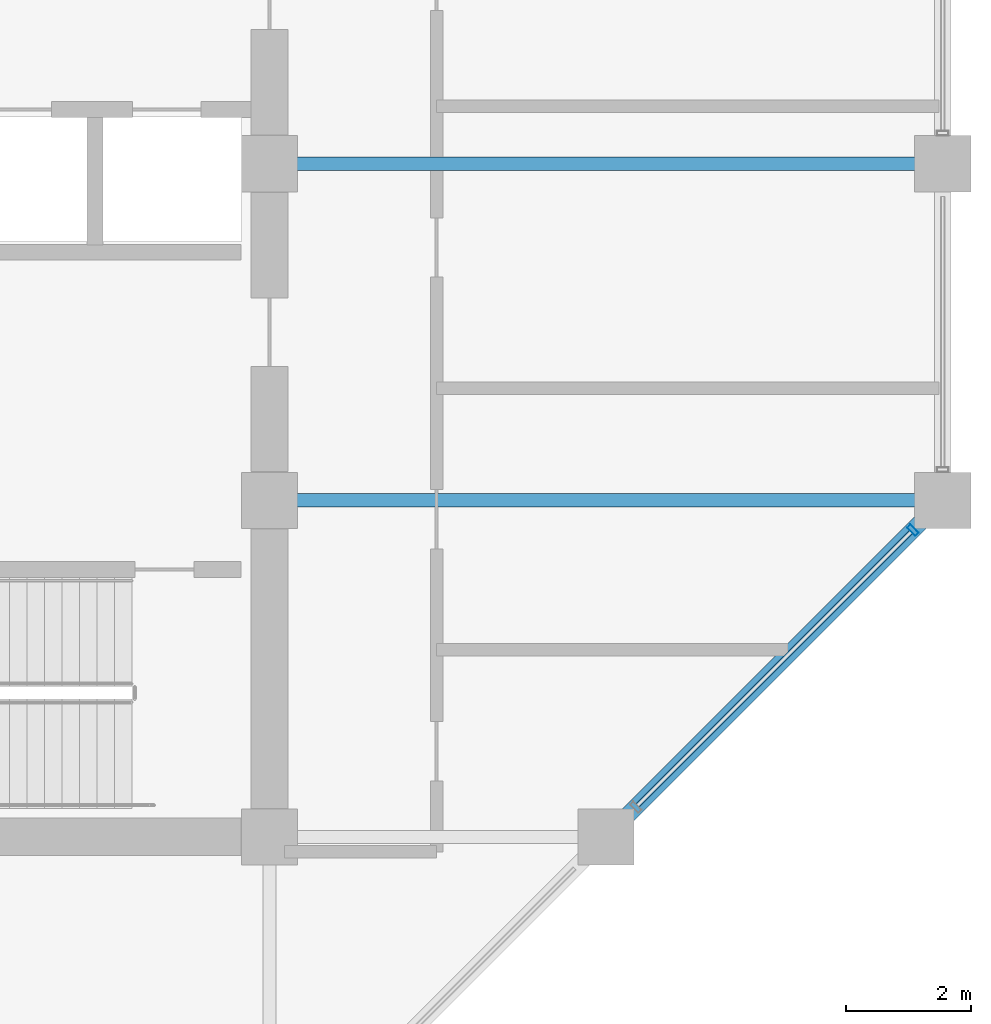
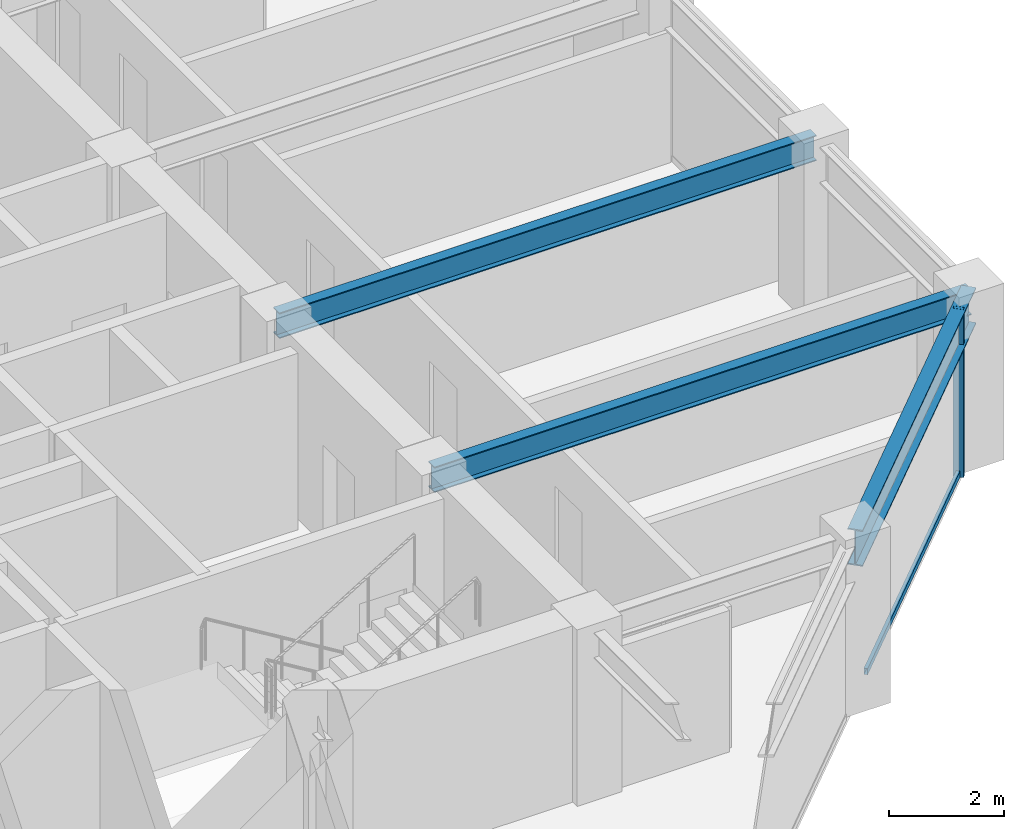
# One storey, part 13 of 32: 3 beams, 2 members, 1 element without a shape of its own.
"""IFC4 building model written with IfcOpenShell, lengths in metres."""

from ifc_helpers import new_model, si_unit, direction, frame, origin, origin_2d, place, context, subcontext, project, spatial, hollow_rectangle, i_section, extrude, material, layer, layer_set, material_profile, profile_set, type_object, element, aggregate, save


model = new_model("IFC4")

# Units and contexts
model_context = context("Model", 3, precision=1e-05, world=origin(), true_north=direction((0.0, 1.0)))
body_context = subcontext(model_context, "Body", "Model", "MODEL_VIEW")
ifc_project = project(units=[si_unit("LENGTHUNIT", "METRE"), si_unit("AREAUNIT", "SQUARE_METRE"), si_unit("VOLUMEUNIT", "CUBIC_METRE"), si_unit("PLANEANGLEUNIT", "RADIAN"), si_unit("MASSUNIT", "GRAM", prefix="KILO")], contexts=[model_context])

# Site, building, storey
site_placement = place(None, origin())
site = spatial("IfcSite", under=ifc_project, at=site_placement, CompositionType="ELEMENT")
building_placement = place(site_placement, origin())
building = spatial("IfcBuilding", under=site, at=building_placement, Name="Surkhivell Harbour Commons", CompositionType="ELEMENT")
storey_placement = place(building_placement, frame((0.0, 0.0, 208.5)))
storey = spatial("IfcBuildingStorey", under=building, at=storey_placement, Name="L54", CompositionType="ELEMENT", Elevation=208.5)

# Beams
ifc_material_1 = material(Name="Steel S355", Category="steel")
ifc_material_profile_1 = material_profile(ifc_material_1, i_section(OverallWidth=0.2119140625, OverallDepth=0.5439453125, WebThickness=0.0126953125, FlangeThickness=0.021240234375, at=origin_2d()), Name="UB533x210x122")
ifc_profile_set_1 = profile_set([ifc_material_profile_1], Name="Steel S355")
beam_type_1 = type_object("IfcBeamType", Name="BM-GRD-533A", PredefinedType="BEAM", material=ifc_profile_set_1)
for number, where, z_axis, x_axis, name in (
    (1, (10.800048828125, -5.39990234375, 3.298095703125), (1.0, 0.0, 0.0), (0.0, 1.0, 0.0), "L54 Floor Girder (10.8,-5.4)"),
    (2, (10.800048828125, 0.0, 3.298095703125), (1.0, 0.0, 0.0), (0.0, 1.0, 0.0), "L54 Floor Girder (10.8,0.0)"),
):
    element("IfcBeam", number, at=place(storey_placement, frame(where, z_axis=z_axis, x_axis=x_axis)), inside=storey, type_object=beam_type_1, Name=name, PredefinedType="BEAM", context=body_context, shape_type="SweptSolid", body=[
        extrude(i_section(OverallWidth=0.2119140625, OverallDepth=0.5439453125, WebThickness=0.0126953125, FlangeThickness=0.021240234375, at=origin_2d()), origin(), (0.0, 0.0, 1.0), 10.800048828125),
    ])
ifc_material_profile_2 = material_profile(ifc_material_1, i_section(OverallWidth=0.26806640625, OverallDepth=0.77001953125, WebThickness=0.015625, FlangeThickness=0.025390625, at=origin_2d()), Name="UB762x267x197")
ifc_profile_set_2 = profile_set([ifc_material_profile_2], Name="Steel S355")
beam_type_2 = type_object("IfcBeamType", Name="BM-SPN-762", PredefinedType="SPANDREL", material=ifc_profile_set_2)
beam_placement = place(storey_placement, frame((16.199951171875, -10.800048828125, 3.18505859375), z_axis=(0.707106781187, 0.707106781187, 0.0), x_axis=(-0.707106781187, 0.707106781187, 0.0)))
element("IfcBeam", 3, at=beam_placement, inside=storey, type_object=beam_type_2, Name="L54 Tube Spandrel (16.2,-10.8)", PredefinedType="SPANDREL", context=body_context, shape_type="SweptSolid", body=[
    extrude(i_section(OverallWidth=0.26806640625, OverallDepth=0.77001953125, WebThickness=0.015625, FlangeThickness=0.025390625, at=origin_2d()), origin(), (0.0, 0.0, 1.0), 7.636962890625),
])

# Curtain wall, members
ifc_material_2 = material(Name="Anodised pale-metal aluminium and insulated glazing", Category="aluminium")
ifc_layer = layer(ifc_material_2, 0.18994140625)
ifc_layer_set = layer_set([ifc_layer], Name="Anodised pale-metal aluminium and insulated glazing")
curtain_wall_type = type_object("IfcCurtainWallType", Name="CW-SYS-Z3", PredefinedType="NOTDEFINED", material=ifc_layer_set)
curtain_wall_placement = place(storey_placement, origin())
curtain_wall = element("IfcCurtainWall", 4, at=curtain_wall_placement, inside=storey, type_object=curtain_wall_type, Name="L54 Curtain Wall CW-L54-E01", PredefinedType="NOTDEFINED")
ifc_material_3 = material(Name="Anodised pale-metal aluminium alloy 6063-T6", Category="aluminium")
ifc_material_profile_3 = material_profile(ifc_material_3, hollow_rectangle(XDim=0.074951171875, YDim=0.18994140625, WallThickness=0.00390625, at=origin_2d()), Name="ALU-MULL-75x190")
ifc_profile_set_3 = profile_set([ifc_material_profile_3], Name="Anodised pale-metal aluminium alloy 6063-T6")
member_type_1 = type_object("IfcMemberType", Name="CWM-190", PredefinedType="MULLION", material=ifc_profile_set_3)
member_1_placement = place(storey_placement, frame((21.121826171875, -5.878173828125, 0.0), z_axis=(0.0, 0.0, 1.0), x_axis=(0.707106781187, 0.707106781187, 0.0)))
member_1 = element("IfcMember", 5, at=member_1_placement, type_object=member_type_1, Name="CW-Z3 mullion 4", PredefinedType="MULLION", context=body_context, shape_type="SweptSolid", body=[
    extrude(hollow_rectangle(XDim=0.074951171875, YDim=0.18994140625, WallThickness=0.00390625, at=origin_2d()), origin(), (0.0, 0.0, 1.0), 3.570068359375),
])
ifc_material_4 = material(Name="Champagne anodised aluminium alloy 6063-T6", Category="aluminium")
ifc_material_profile_4 = material_profile(ifc_material_4, hollow_rectangle(XDim=0.070068359375, YDim=0.1298828125, WallThickness=0.00341796875, at=origin_2d()), Name="ALU-TRAN-70x130")
ifc_profile_set_4 = profile_set([ifc_material_profile_4], Name="Champagne anodised aluminium alloy 6063-T6")
member_type_2 = type_object("IfcMemberType", Name="CWT-130", PredefinedType="USERDEFINED", material=ifc_profile_set_4)
member_2_placement = place(storey_placement, frame((16.70458984375, -10.29541015625, 0.06494140625), z_axis=(0.707106781187, 0.707106781187, 0.0), x_axis=(-0.707106781187, 0.707106781187, 0.0)))
member_2 = element("IfcMember", 6, at=member_2_placement, type_object=member_type_2, Name="CW-Z3 transom 3.1", ObjectType="TRANSOM", PredefinedType="USERDEFINED", context=body_context, shape_type="SweptSolid", body=[
    extrude(hollow_rectangle(XDim=0.070068359375, YDim=0.1298828125, WallThickness=0.00341796875, at=origin_2d()), origin(), (0.0, 0.0, 1.0), 6.209228515625),
])
aggregate(curtain_wall, [member_1, member_2])

save(model, "model.ifc")
